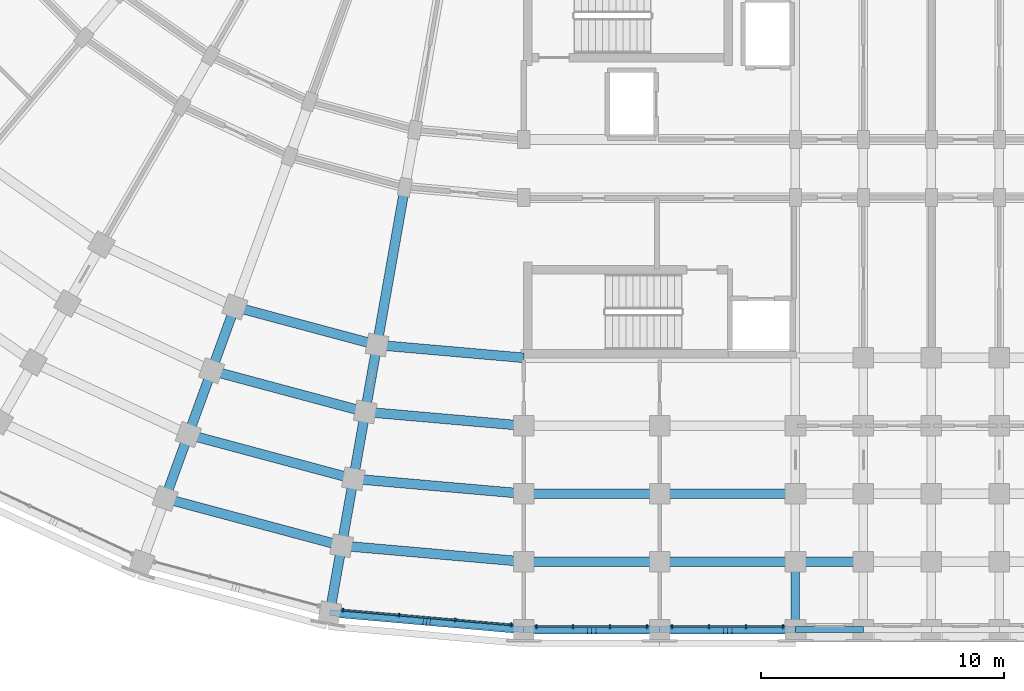
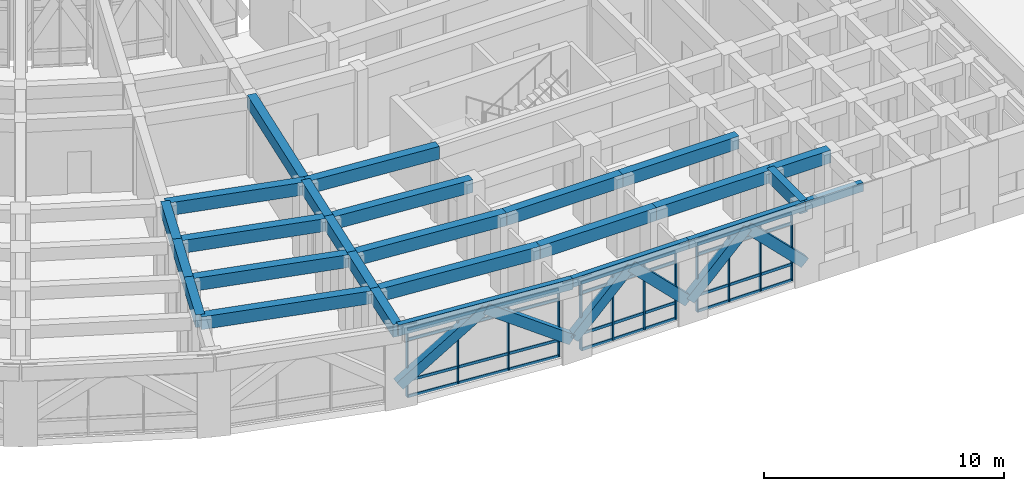
# One storey, part 8 of 97: 32 beams, 24 members, 3 elements without a shape of their own.
"""IFC4 building model written with IfcOpenShell, lengths in metres."""

from ifc_helpers import new_model, si_unit, direction, frame, origin, origin_2d, place, context, subcontext, project, spatial, rectangle, extrude, material, material_profile, profile_set, type_object, element, aggregate, save


model = new_model("IFC4")

# Units and contexts
model_context = context("Model", 3, precision=1e-05, world=origin(), true_north=direction((0.0, 1.0)))
body_context = subcontext(model_context, "Body", "Model", "MODEL_VIEW")
ifc_project = project(units=[si_unit("LENGTHUNIT", "METRE"), si_unit("AREAUNIT", "SQUARE_METRE"), si_unit("VOLUMEUNIT", "CUBIC_METRE"), si_unit("PLANEANGLEUNIT", "RADIAN"), si_unit("MASSUNIT", "GRAM", prefix="KILO")], contexts=[model_context])

# Site, building, storey
site_placement = place(None, origin())
site = spatial("IfcSite", under=ifc_project, at=site_placement, CompositionType="ELEMENT")
building_placement = place(site_placement, origin())
building = spatial("IfcBuilding", under=site, at=building_placement, Name="Kiranvali Square Residences", CompositionType="ELEMENT")
storey_placement = place(building_placement, frame((0.0, 0.0, 4.5)))
storey = spatial("IfcBuildingStorey", under=building, at=storey_placement, Name="L01", CompositionType="ELEMENT", Elevation=4.5)

# Beams
ifc_material_1 = material(Name="Concrete M40 (40 MPa)", Category="concrete")
ifc_material_profile_1 = material_profile(ifc_material_1, rectangle(XDim=0.35009765625, YDim=0.5, at=origin_2d()), Name="RC 350x500")
ifc_profile_set_1 = profile_set([ifc_material_profile_1], Name="Concrete M40 (40 MPa)")
beam_type_1 = type_object("IfcBeamType", Name="AR-M40-350x500", PredefinedType="USERDEFINED", material=ifc_profile_set_1)
for number, where, z_axis, x_axis, name in (
    (1, (48.16015625, 2.203369140625, 0.89990234375), (-0.818861711603, 0.07164281584, 0.569502242498), (-0.087157794078, -0.996194518621, 0.0), "Classical pointed Ottoman arch rib ARCH-C-CRV-7-00.1"),
    (2, (44.2060546875, 2.54931640625, 3.64990234375), (-0.818861711603, 0.07164281584, -0.569502242498), (-0.087157794078, -0.996194518621, 0.0), "Classical pointed Ottoman arch rib ARCH-C-CRV-7-00.2"),
):
    element("IfcBeam", number, at=place(storey_placement, frame(where, z_axis=z_axis, x_axis=x_axis)), inside=storey, type_object=beam_type_1, Name=name, ObjectType="ARCH RIB", PredefinedType="USERDEFINED", context=body_context, shape_type="SweptSolid", body=[
        extrude(rectangle(XDim=0.35009765625, YDim=0.5, at=origin_2d()), origin(), (0.0, 0.0, 1.0), 4.828857421875),
    ])
for number, where, z_axis, x_axis, name in (
    (3, (48.239990234375, 2.199951171875, 0.89990234375), (0.708390178619, 0.0, 0.705821050151), (0.0, 1.0, 0.0), "Classical pointed Ottoman arch rib ARCH-C-A1-0.1"),
    (4, (51.0, 2.199951171875, 3.64990234375), (0.708390178619, 0.0, -0.705821050151), (0.0, 1.0, 0.0), "Classical pointed Ottoman arch rib ARCH-C-A1-0.2"),
    (5, (53.840087890625, 2.199951171875, 0.89990234375), (0.708390178619, 0.0, 0.705821050151), (0.0, 1.0, 0.0), "Classical pointed Ottoman arch rib ARCH-C-A1-1.1"),
    (6, (56.60009765625, 2.199951171875, 3.64990234375), (0.708390178619, 0.0, -0.705821050151), (0.0, 1.0, 0.0), "Classical pointed Ottoman arch rib ARCH-C-A1-1.2"),
):
    element("IfcBeam", number, at=place(storey_placement, frame(where, z_axis=z_axis, x_axis=x_axis)), inside=storey, type_object=beam_type_1, Name=name, ObjectType="ARCH RIB", PredefinedType="USERDEFINED", context=body_context, shape_type="SweptSolid", body=[
        extrude(rectangle(XDim=0.35009765625, YDim=0.5, at=origin_2d()), origin(), (0.0, 0.0, 1.0), 3.896240234375),
    ])
ifc_material_profile_2 = material_profile(ifc_material_1, rectangle(XDim=0.35009765625, YDim=0.64990234375, at=origin_2d()), Name="RC 350x650")
ifc_profile_set_2 = profile_set([ifc_material_profile_2], Name="Concrete M40 (40 MPa)")
beam_type_2 = type_object("IfcBeamType", Name="BM-M40-350x650", PredefinedType="BEAM", material=ifc_profile_set_2)
beam_1_placement = place(storey_placement, frame((59.39990234375, 5.0, 3.655029296875), z_axis=(0.0, -1.0, 0.0), x_axis=(1.0, 0.0, 0.0)))
element("IfcBeam", 7, at=beam_1_placement, inside=storey, type_object=beam_type_2, Name="L01 beam BM-C-L01-A1T1-67", PredefinedType="BEAM", context=body_context, shape_type="SweptSolid", body=[
    extrude(rectangle(XDim=0.35009765625, YDim=0.64990234375, at=origin_2d()), origin(), (0.0, 0.0, 1.0), 2.800048828125),
])
ifc_material_2 = material(Name="Concrete M45 (45 MPa)", Category="concrete")
ifc_material_profile_3 = material_profile(ifc_material_2, rectangle(XDim=0.39990234375, YDim=0.64990234375, at=origin_2d()), Name="RC 400x650")
ifc_profile_set_3 = profile_set([ifc_material_profile_3], Name="Concrete M45 (45 MPa)")
beam_type_3 = type_object("IfcBeamType", Name="BM-M45-400x650", PredefinedType="BEAM", material=ifc_profile_set_3)
beam_2_placement = place(storey_placement, frame((48.199951171875, 13.39990234375, 3.655029296875), z_axis=(-0.996193018494, 0.087174938512, 0.0), x_axis=(-0.087174938512, -0.996193018494, 0.0)))
element("IfcBeam", 8, at=beam_2_placement, inside=storey, type_object=beam_type_3, Name="L01 beam BM-C-L01-C00-R3", PredefinedType="BEAM", context=body_context, shape_type="SweptSolid", body=[
    extrude(rectangle(XDim=0.39990234375, YDim=0.64990234375, at=origin_2d()), origin(), (0.0, 0.0, 1.0), 6.066162109375),
])
beam_3_placement = place(storey_placement, frame((48.199951171875, 10.60009765625, 3.655029296875), z_axis=(-0.996196991902, 0.0871295204, 0.0), x_axis=(-0.0871295204, -0.996196991902, 0.0)))
element("IfcBeam", 9, at=beam_3_placement, inside=storey, type_object=beam_type_3, Name="L01 beam BM-C-L01-C00-R4", PredefinedType="BEAM", context=body_context, shape_type="SweptSolid", body=[
    extrude(rectangle(XDim=0.39990234375, YDim=0.64990234375, at=origin_2d()), origin(), (0.0, 0.0, 1.0), 6.553955078125),
])
beam_4_placement = place(storey_placement, frame((48.199951171875, 7.800048828125, 3.655029296875), z_axis=(-0.996194658198, 0.087156198737, 0.0), x_axis=(-0.087156198737, -0.996194658198, 0.0)))
element("IfcBeam", 10, at=beam_4_placement, inside=storey, type_object=beam_type_3, Name="L01 beam BM-C-L01-C00-R5", PredefinedType="BEAM", context=body_context, shape_type="SweptSolid", body=[
    extrude(rectangle(XDim=0.39990234375, YDim=0.64990234375, at=origin_2d()), origin(), (0.0, 0.0, 1.0), 7.042236328125),
])
beam_5_placement = place(storey_placement, frame((48.199951171875, 5.0, 3.655029296875), z_axis=(-0.996195195417, 0.087150058103, 0.0), x_axis=(-0.087150058103, -0.996195195417, 0.0)))
element("IfcBeam", 11, at=beam_5_placement, inside=storey, type_object=beam_type_3, Name="L01 beam BM-C-L01-C00-R6", PredefinedType="BEAM", context=body_context, shape_type="SweptSolid", body=[
    extrude(rectangle(XDim=0.39990234375, YDim=0.64990234375, at=origin_2d()), origin(), (0.0, 0.0, 1.0), 7.530029296875),
])
beam_6_placement = place(storey_placement, frame((42.156982421875, 13.9287109375, 3.655029296875), z_axis=(-0.965923618901, 0.258827283048, 0.0), x_axis=(-0.258827283048, -0.965923618901, 0.0)))
element("IfcBeam", 12, at=beam_6_placement, inside=storey, type_object=beam_type_3, Name="L01 beam BM-C-L01-C01-R3", PredefinedType="BEAM", context=body_context, shape_type="SweptSolid", body=[
    extrude(rectangle(XDim=0.39990234375, YDim=0.64990234375, at=origin_2d()), origin(), (0.0, 0.0, 1.0), 6.066162109375),
])
beam_7_placement = place(storey_placement, frame((41.6708984375, 11.171142578125, 3.655029296875), z_axis=(-0.965918287583, 0.258847178297, 0.0), x_axis=(-0.258847178297, -0.965918287583, 0.0)))
element("IfcBeam", 13, at=beam_7_placement, inside=storey, type_object=beam_type_3, Name="L01 beam BM-C-L01-C01-R4", PredefinedType="BEAM", context=body_context, shape_type="SweptSolid", body=[
    extrude(rectangle(XDim=0.39990234375, YDim=0.64990234375, at=origin_2d()), origin(), (0.0, 0.0, 1.0), 6.55419921875),
])
beam_8_placement = place(storey_placement, frame((41.1845703125, 8.413818359375, 3.655029296875), z_axis=(-0.965931029817, 0.258799624492, 0.0), x_axis=(-0.258799624492, -0.965931029817, 0.0)))
element("IfcBeam", 14, at=beam_8_placement, inside=storey, type_object=beam_type_3, Name="L01 beam BM-C-L01-C01-R5", PredefinedType="BEAM", context=body_context, shape_type="SweptSolid", body=[
    extrude(rectangle(XDim=0.39990234375, YDim=0.64990234375, at=origin_2d()), origin(), (0.0, 0.0, 1.0), 7.042236328125),
])
beam_9_placement = place(storey_placement, frame((40.698486328125, 5.65625, 3.655029296875), z_axis=(-0.965925909693, 0.258818733833, 0.0), x_axis=(-0.258818733833, -0.965925909693, 0.0)))
element("IfcBeam", 15, at=beam_9_placement, inside=storey, type_object=beam_type_3, Name="L01 beam BM-C-L01-C01-R6", PredefinedType="BEAM", context=body_context, shape_type="SweptSolid", body=[
    extrude(rectangle(XDim=0.39990234375, YDim=0.64990234375, at=origin_2d()), origin(), (0.0, 0.0, 1.0), 7.5302734375),
])
beam_10_placement = place(storey_placement, frame((43.30322265625, 20.428466796875, 3.655029296875), z_axis=(-0.173671381499, -0.984803661269, 0.0), x_axis=(0.984803661269, -0.173671381499, 0.0)))
element("IfcBeam", 16, at=beam_10_placement, inside=storey, type_object=beam_type_3, Name="L01 beam BM-C-L01-RAD01-23", PredefinedType="BEAM", context=body_context, shape_type="SweptSolid", body=[
    extrude(rectangle(XDim=0.39990234375, YDim=0.64990234375, at=origin_2d()), origin(), (0.0, 0.0, 1.0), 6.60009765625),
])
beam_11_placement = place(storey_placement, frame((42.156982421875, 13.9287109375, 3.655029296875), z_axis=(-0.173596320392, -0.984816895441, 0.0), x_axis=(0.984816895441, -0.173596320392, 0.0)))
element("IfcBeam", 17, at=beam_11_placement, inside=storey, type_object=beam_type_3, Name="L01 beam BM-C-L01-RAD01-34", PredefinedType="BEAM", context=body_context, shape_type="SweptSolid", body=[
    extrude(rectangle(XDim=0.39990234375, YDim=0.64990234375, at=origin_2d()), origin(), (0.0, 0.0, 1.0), 2.800048828125),
])
beam_12_placement = place(storey_placement, frame((41.6708984375, 11.171142578125, 3.655029296875), z_axis=(-0.173695795656, -0.984799355489, 0.0), x_axis=(0.984799355489, -0.173695795656, 0.0)))
element("IfcBeam", 18, at=beam_12_placement, inside=storey, type_object=beam_type_3, Name="L01 beam BM-C-L01-RAD01-45", PredefinedType="BEAM", context=body_context, shape_type="SweptSolid", body=[
    extrude(rectangle(XDim=0.39990234375, YDim=0.64990234375, at=origin_2d()), origin(), (0.0, 0.0, 1.0), 2.7998046875),
])
beam_13_placement = place(storey_placement, frame((41.1845703125, 8.413818359375, 3.655029296875), z_axis=(-0.173596320392, -0.984816895441, 0.0), x_axis=(0.984816895441, -0.173596320392, 0.0)))
element("IfcBeam", 19, at=beam_13_placement, inside=storey, type_object=beam_type_3, Name="L01 beam BM-C-L01-RAD01-56", PredefinedType="BEAM", context=body_context, shape_type="SweptSolid", body=[
    extrude(rectangle(XDim=0.39990234375, YDim=0.64990234375, at=origin_2d()), origin(), (0.0, 0.0, 1.0), 2.800048828125),
])
for number, where, z_axis, x_axis, name in (
    (20, (40.698486328125, 5.65625, 3.655029296875), (-0.173695795656, -0.984799355489, 0.0), (0.984799355489, -0.173695795656, 0.0), "L01 beam BM-C-L01-RAD01-67"),
    (21, (36.297607421875, 15.498779296875, 3.655029296875), (-0.341981089711, -0.93970683422, 0.0), (0.93970683422, -0.341981089711, 0.0), "L01 beam BM-C-L01-RAD02-34"),
):
    element("IfcBeam", number, at=place(storey_placement, frame(where, z_axis=z_axis, x_axis=x_axis)), inside=storey, type_object=beam_type_3, Name=name, PredefinedType="BEAM", context=body_context, shape_type="SweptSolid", body=[
        extrude(rectangle(XDim=0.39990234375, YDim=0.64990234375, at=origin_2d()), origin(), (0.0, 0.0, 1.0), 2.7998046875),
    ])
beam_14_placement = place(storey_placement, frame((35.340087890625, 12.86767578125, 3.655029296875), z_axis=(-0.342030060398, -0.939689011208, 0.0), x_axis=(0.939689011208, -0.342030060398, 0.0)))
element("IfcBeam", 22, at=beam_14_placement, inside=storey, type_object=beam_type_3, Name="L01 beam BM-C-L01-RAD02-45", PredefinedType="BEAM", context=body_context, shape_type="SweptSolid", body=[
    extrude(rectangle(XDim=0.39990234375, YDim=0.64990234375, at=origin_2d()), origin(), (0.0, 0.0, 1.0), 2.80029296875),
])
beam_15_placement = place(storey_placement, frame((34.38232421875, 10.236328125, 3.655029296875), z_axis=(-0.341981089711, -0.93970683422, 0.0), x_axis=(0.93970683422, -0.341981089711, 0.0)))
element("IfcBeam", 23, at=beam_15_placement, inside=storey, type_object=beam_type_3, Name="L01 beam BM-C-L01-RAD02-56", PredefinedType="BEAM", context=body_context, shape_type="SweptSolid", body=[
    extrude(rectangle(XDim=0.39990234375, YDim=0.64990234375, at=origin_2d()), origin(), (0.0, 0.0, 1.0), 2.7998046875),
])
beam_16_placement = place(storey_placement, frame((48.199951171875, 7.800048828125, 3.655029296875), z_axis=(1.0, 0.0, 0.0), x_axis=(0.0, 1.0, 0.0)))
element("IfcBeam", 24, at=beam_16_placement, inside=storey, type_object=beam_type_3, Name="L01 beam BM-C-L01-A1U0-R5", PredefinedType="BEAM", context=body_context, shape_type="SweptSolid", body=[
    extrude(rectangle(XDim=0.39990234375, YDim=0.64990234375, at=origin_2d()), origin(), (0.0, 0.0, 1.0), 5.60009765625),
])
beam_17_placement = place(storey_placement, frame((53.800048828125, 7.800048828125, 3.655029296875), z_axis=(1.0, 0.0, 0.0), x_axis=(0.0, 1.0, 0.0)))
element("IfcBeam", 25, at=beam_17_placement, inside=storey, type_object=beam_type_3, Name="L01 beam BM-C-L01-A1U1-R5", PredefinedType="BEAM", context=body_context, shape_type="SweptSolid", body=[
    extrude(rectangle(XDim=0.39990234375, YDim=0.64990234375, at=origin_2d()), origin(), (0.0, 0.0, 1.0), 5.599853515625),
])
beam_18_placement = place(storey_placement, frame((48.199951171875, 5.0, 3.655029296875), z_axis=(1.0, 0.0, 0.0), x_axis=(0.0, 1.0, 0.0)))
element("IfcBeam", 26, at=beam_18_placement, inside=storey, type_object=beam_type_3, Name="L01 beam BM-C-L01-A1U0-R6", PredefinedType="BEAM", context=body_context, shape_type="SweptSolid", body=[
    extrude(rectangle(XDim=0.39990234375, YDim=0.64990234375, at=origin_2d()), origin(), (0.0, 0.0, 1.0), 5.60009765625),
])
beam_19_placement = place(storey_placement, frame((53.800048828125, 5.0, 3.655029296875), z_axis=(1.0, 0.0, 0.0), x_axis=(0.0, 1.0, 0.0)))
element("IfcBeam", 27, at=beam_19_placement, inside=storey, type_object=beam_type_3, Name="L01 beam BM-C-L01-A1U1-R6", PredefinedType="BEAM", context=body_context, shape_type="SweptSolid", body=[
    extrude(rectangle(XDim=0.39990234375, YDim=0.64990234375, at=origin_2d()), origin(), (0.0, 0.0, 1.0), 5.599853515625),
])
beam_20_placement = place(storey_placement, frame((59.39990234375, 5.0, 3.655029296875), z_axis=(1.0, 0.0, 0.0), x_axis=(0.0, 1.0, 0.0)))
element("IfcBeam", 28, at=beam_20_placement, inside=storey, type_object=beam_type_3, Name="L01 beam BM-C-L01-A1U2-R6", PredefinedType="BEAM", context=body_context, shape_type="SweptSolid", body=[
    extrude(rectangle(XDim=0.39990234375, YDim=0.64990234375, at=origin_2d()), origin(), (0.0, 0.0, 1.0), 2.800048828125),
])

# Curtain wall, members
ifc_material_3 = material(Name="Anodised bronze aluminium framing", Category="aluminium")
curtain_wall_type = type_object("IfcCurtainWallType", Name="CW-RET-SHOP", PredefinedType="USERDEFINED", material=ifc_material_3)
curtain_wall_1_placement = place(storey_placement, origin())
curtain_wall_1 = element("IfcCurtainWall", 29, at=curtain_wall_1_placement, inside=storey, type_object=curtain_wall_type, Name="Block C L01 rounded-corner arcade curtain wall 1", ObjectType="CURTAIN WALL", PredefinedType="USERDEFINED")
ifc_material_profile_4 = material_profile(ifc_material_3, rectangle(XDim=0.06494140625, YDim=0.159912109375, at=origin_2d()), Name="ALU 65x160")
ifc_profile_set_4 = profile_set([ifc_material_profile_4], Name="Anodised bronze aluminium framing")
member_type_1 = type_object("IfcMemberType", Name="CW-MUL-160", PredefinedType="MULLION", material=ifc_profile_set_4)
member_1_placement = place(storey_placement, frame((47.695068359375, 2.394775390625, 0.02001953125), z_axis=(0.0, 0.0, 1.0), x_axis=(-0.996194698092, 0.087155742748, 0.0)))
member_1 = element("IfcMember", 30, at=member_1_placement, type_object=member_type_1, Name="CW-C-L01-CRV-00 vertical mullion 1", PredefinedType="MULLION", context=body_context, shape_type="SweptSolid", body=[
    extrude(rectangle(XDim=0.06494140625, YDim=0.159912109375, at=origin_2d()), origin(), (0.0, 0.0, 1.0), 3.43994140625),
])
member_2_placement = place(storey_placement, frame((45.377685546875, 2.597412109375, 0.02001953125), z_axis=(0.0, 0.0, 1.0), x_axis=(-0.996194698092, 0.087155742748, 0.0)))
member_2 = element("IfcMember", 31, at=member_2_placement, type_object=member_type_1, Name="CW-C-L01-CRV-00 vertical mullion 2", PredefinedType="MULLION", context=body_context, shape_type="SweptSolid", body=[
    extrude(rectangle(XDim=0.06494140625, YDim=0.159912109375, at=origin_2d()), origin(), (0.0, 0.0, 1.0), 3.43994140625),
])
member_3_placement = place(storey_placement, frame((43.060546875, 2.80029296875, 0.02001953125), z_axis=(0.0, 0.0, 1.0), x_axis=(-0.996194698092, 0.087155742748, 0.0)))
member_3 = element("IfcMember", 32, at=member_3_placement, type_object=member_type_1, Name="CW-C-L01-CRV-00 vertical mullion 3", PredefinedType="MULLION", context=body_context, shape_type="SweptSolid", body=[
    extrude(rectangle(XDim=0.06494140625, YDim=0.159912109375, at=origin_2d()), origin(), (0.0, 0.0, 1.0), 3.43994140625),
])
member_4_placement = place(storey_placement, frame((40.7431640625, 3.0029296875, 0.02001953125), z_axis=(0.0, 0.0, 1.0), x_axis=(-0.996194698092, 0.087155742748, 0.0)))
member_4 = element("IfcMember", 33, at=member_4_placement, type_object=member_type_1, Name="CW-C-L01-CRV-00 vertical mullion 4", PredefinedType="MULLION", context=body_context, shape_type="SweptSolid", body=[
    extrude(rectangle(XDim=0.06494140625, YDim=0.159912109375, at=origin_2d()), origin(), (0.0, 0.0, 1.0), 3.43994140625),
])

curtain_wall_2_placement = place(storey_placement, origin())
curtain_wall_2 = element("IfcCurtainWall", 34, at=curtain_wall_2_placement, inside=storey, type_object=curtain_wall_type, Name="L01 curtain wall CW-C-L01-A1-0", ObjectType="CURTAIN WALL", PredefinedType="USERDEFINED")
member_5_placement = place(storey_placement, frame((48.719970703125, 2.320068359375, 0.02001953125), z_axis=(0.0, 0.0, 1.0), x_axis=(1.0, 0.0, 0.0)))
member_5 = element("IfcMember", 35, at=member_5_placement, type_object=member_type_1, Name="CW-C-L01-A1-0 vertical mullion 1", PredefinedType="MULLION", context=body_context, shape_type="SweptSolid", body=[
    extrude(rectangle(XDim=0.06494140625, YDim=0.159912109375, at=origin_2d()), origin(), (0.0, 0.0, 1.0), 3.43994140625),
])
member_6_placement = place(storey_placement, frame((50.239990234375, 2.320068359375, 0.02001953125), z_axis=(0.0, 0.0, 1.0), x_axis=(1.0, 0.0, 0.0)))
member_6 = element("IfcMember", 36, at=member_6_placement, type_object=member_type_1, Name="CW-C-L01-A1-0 vertical mullion 2", PredefinedType="MULLION", context=body_context, shape_type="SweptSolid", body=[
    extrude(rectangle(XDim=0.06494140625, YDim=0.159912109375, at=origin_2d()), origin(), (0.0, 0.0, 1.0), 3.43994140625),
])
member_7_placement = place(storey_placement, frame((51.760009765625, 2.320068359375, 0.02001953125), z_axis=(0.0, 0.0, 1.0), x_axis=(1.0, 0.0, 0.0)))
member_7 = element("IfcMember", 37, at=member_7_placement, type_object=member_type_1, Name="CW-C-L01-A1-0 vertical mullion 3", PredefinedType="MULLION", context=body_context, shape_type="SweptSolid", body=[
    extrude(rectangle(XDim=0.06494140625, YDim=0.159912109375, at=origin_2d()), origin(), (0.0, 0.0, 1.0), 3.43994140625),
])
member_8_placement = place(storey_placement, frame((53.280029296875, 2.320068359375, 0.02001953125), z_axis=(0.0, 0.0, 1.0), x_axis=(1.0, 0.0, 0.0)))
member_8 = element("IfcMember", 38, at=member_8_placement, type_object=member_type_1, Name="CW-C-L01-A1-0 vertical mullion 4", PredefinedType="MULLION", context=body_context, shape_type="SweptSolid", body=[
    extrude(rectangle(XDim=0.06494140625, YDim=0.159912109375, at=origin_2d()), origin(), (0.0, 0.0, 1.0), 3.43994140625),
])

curtain_wall_3_placement = place(storey_placement, origin())
curtain_wall_3 = element("IfcCurtainWall", 39, at=curtain_wall_3_placement, inside=storey, type_object=curtain_wall_type, Name="L01 curtain wall CW-C-L01-A1-1", ObjectType="CURTAIN WALL", PredefinedType="USERDEFINED")
member_9_placement = place(storey_placement, frame((54.320068359375, 2.320068359375, 0.02001953125), z_axis=(0.0, 0.0, 1.0), x_axis=(1.0, 0.0, 0.0)))
member_9 = element("IfcMember", 40, at=member_9_placement, type_object=member_type_1, Name="CW-C-L01-A1-1 vertical mullion 1", PredefinedType="MULLION", context=body_context, shape_type="SweptSolid", body=[
    extrude(rectangle(XDim=0.06494140625, YDim=0.159912109375, at=origin_2d()), origin(), (0.0, 0.0, 1.0), 3.43994140625),
])
member_10_placement = place(storey_placement, frame((55.840087890625, 2.320068359375, 0.02001953125), z_axis=(0.0, 0.0, 1.0), x_axis=(1.0, 0.0, 0.0)))
member_10 = element("IfcMember", 41, at=member_10_placement, type_object=member_type_1, Name="CW-C-L01-A1-1 vertical mullion 2", PredefinedType="MULLION", context=body_context, shape_type="SweptSolid", body=[
    extrude(rectangle(XDim=0.06494140625, YDim=0.159912109375, at=origin_2d()), origin(), (0.0, 0.0, 1.0), 3.43994140625),
])
member_11_placement = place(storey_placement, frame((57.360107421875, 2.320068359375, 0.02001953125), z_axis=(0.0, 0.0, 1.0), x_axis=(1.0, 0.0, 0.0)))
member_11 = element("IfcMember", 42, at=member_11_placement, type_object=member_type_1, Name="CW-C-L01-A1-1 vertical mullion 3", PredefinedType="MULLION", context=body_context, shape_type="SweptSolid", body=[
    extrude(rectangle(XDim=0.06494140625, YDim=0.159912109375, at=origin_2d()), origin(), (0.0, 0.0, 1.0), 3.43994140625),
])
member_12_placement = place(storey_placement, frame((58.8798828125, 2.320068359375, 0.02001953125), z_axis=(0.0, 0.0, 1.0), x_axis=(1.0, 0.0, 0.0)))
member_12 = element("IfcMember", 43, at=member_12_placement, type_object=member_type_1, Name="CW-C-L01-A1-1 vertical mullion 4", PredefinedType="MULLION", context=body_context, shape_type="SweptSolid", body=[
    extrude(rectangle(XDim=0.06494140625, YDim=0.159912109375, at=origin_2d()), origin(), (0.0, 0.0, 1.0), 3.43994140625),
])

# Member
ifc_material_profile_5 = material_profile(ifc_material_3, rectangle(XDim=0.06494140625, YDim=0.139892578125, at=origin_2d()), Name="ALU 65x140")
ifc_profile_set_5 = profile_set([ifc_material_profile_5], Name="Anodised bronze aluminium framing")
member_type_2 = type_object("IfcMemberType", Name="CW-TRN-140", PredefinedType="MULLION", material=ifc_profile_set_5)
member_13_placement = place(storey_placement, frame((47.68505859375, 2.3955078125, 0.0400390625), z_axis=(-0.996191851174, 0.087188277046, 0.0), x_axis=(-0.087188277046, -0.996191851174, 0.0)))
member_13 = element("IfcMember", 44, at=member_13_placement, type_object=member_type_2, Name="CW-C-L01-CRV-00 horizontal transom 1", PredefinedType="MULLION", context=body_context, shape_type="SweptSolid", body=[
    extrude(rectangle(XDim=0.06494140625, YDim=0.139892578125, at=origin_2d()), origin(), (0.0, 0.0, 1.0), 6.95849609375),
])

member_14_placement = place(storey_placement, frame((47.68505859375, 2.3955078125, 0.85009765625), z_axis=(-0.996191851174, 0.087188277046, 0.0), x_axis=(-0.087188277046, -0.996191851174, 0.0)))
member_14 = element("IfcMember", 45, at=member_14_placement, type_object=member_type_2, Name="CW-C-L01-CRV-00 horizontal transom 2", PredefinedType="MULLION", context=body_context, shape_type="SweptSolid", body=[
    extrude(rectangle(XDim=0.06494140625, YDim=0.139892578125, at=origin_2d()), origin(), (0.0, 0.0, 1.0), 6.95849609375),
])

member_15_placement = place(storey_placement, frame((47.68505859375, 2.3955078125, 2.929931640625), z_axis=(-0.996191851174, 0.087188277046, 0.0), x_axis=(-0.087188277046, -0.996191851174, 0.0)))
member_15 = element("IfcMember", 46, at=member_15_placement, type_object=member_type_2, Name="CW-C-L01-CRV-00 horizontal transom 3", PredefinedType="MULLION", context=body_context, shape_type="SweptSolid", body=[
    extrude(rectangle(XDim=0.06494140625, YDim=0.139892578125, at=origin_2d()), origin(), (0.0, 0.0, 1.0), 6.95849609375),
])

member_16_placement = place(storey_placement, frame((47.68505859375, 2.3955078125, 3.43994140625), z_axis=(-0.996191851174, 0.087188277046, 0.0), x_axis=(-0.087188277046, -0.996191851174, 0.0)))
member_16 = element("IfcMember", 47, at=member_16_placement, type_object=member_type_2, Name="CW-C-L01-CRV-00 horizontal transom 4", PredefinedType="MULLION", context=body_context, shape_type="SweptSolid", body=[
    extrude(rectangle(XDim=0.06494140625, YDim=0.139892578125, at=origin_2d()), origin(), (0.0, 0.0, 1.0), 6.95849609375),
])

aggregate(curtain_wall_1, [member_1, member_2, member_3, member_4, member_13, member_14, member_15, member_16])

member_17_placement = place(storey_placement, frame((48.72998046875, 2.320068359375, 0.0400390625), z_axis=(1.0, 0.0, 0.0), x_axis=(0.0, 1.0, 0.0)))
member_17 = element("IfcMember", 48, at=member_17_placement, type_object=member_type_2, Name="CW-C-L01-A1-0 horizontal transom 1", PredefinedType="MULLION", context=body_context, shape_type="SweptSolid", body=[
    extrude(rectangle(XDim=0.06494140625, YDim=0.139892578125, at=origin_2d()), origin(), (0.0, 0.0, 1.0), 4.5400390625),
])

member_18_placement = place(storey_placement, frame((48.72998046875, 2.320068359375, 0.85009765625), z_axis=(1.0, 0.0, 0.0), x_axis=(0.0, 1.0, 0.0)))
member_18 = element("IfcMember", 49, at=member_18_placement, type_object=member_type_2, Name="CW-C-L01-A1-0 horizontal transom 2", PredefinedType="MULLION", context=body_context, shape_type="SweptSolid", body=[
    extrude(rectangle(XDim=0.06494140625, YDim=0.139892578125, at=origin_2d()), origin(), (0.0, 0.0, 1.0), 4.5400390625),
])

member_19_placement = place(storey_placement, frame((48.72998046875, 2.320068359375, 2.929931640625), z_axis=(1.0, 0.0, 0.0), x_axis=(0.0, 1.0, 0.0)))
member_19 = element("IfcMember", 50, at=member_19_placement, type_object=member_type_2, Name="CW-C-L01-A1-0 horizontal transom 3", PredefinedType="MULLION", context=body_context, shape_type="SweptSolid", body=[
    extrude(rectangle(XDim=0.06494140625, YDim=0.139892578125, at=origin_2d()), origin(), (0.0, 0.0, 1.0), 4.5400390625),
])

member_20_placement = place(storey_placement, frame((48.72998046875, 2.320068359375, 3.43994140625), z_axis=(1.0, 0.0, 0.0), x_axis=(0.0, 1.0, 0.0)))
member_20 = element("IfcMember", 51, at=member_20_placement, type_object=member_type_2, Name="CW-C-L01-A1-0 horizontal transom 4", PredefinedType="MULLION", context=body_context, shape_type="SweptSolid", body=[
    extrude(rectangle(XDim=0.06494140625, YDim=0.139892578125, at=origin_2d()), origin(), (0.0, 0.0, 1.0), 4.5400390625),
])

aggregate(curtain_wall_2, [member_5, member_6, member_7, member_8, member_17, member_18, member_19, member_20])

member_21_placement = place(storey_placement, frame((54.330078125, 2.320068359375, 0.0400390625), z_axis=(1.0, 0.0, 0.0), x_axis=(0.0, 1.0, 0.0)))
member_21 = element("IfcMember", 52, at=member_21_placement, type_object=member_type_2, Name="CW-C-L01-A1-1 horizontal transom 1", PredefinedType="MULLION", context=body_context, shape_type="SweptSolid", body=[
    extrude(rectangle(XDim=0.06494140625, YDim=0.139892578125, at=origin_2d()), origin(), (0.0, 0.0, 1.0), 4.5400390625),
])

member_22_placement = place(storey_placement, frame((54.330078125, 2.320068359375, 0.85009765625), z_axis=(1.0, 0.0, 0.0), x_axis=(0.0, 1.0, 0.0)))
member_22 = element("IfcMember", 53, at=member_22_placement, type_object=member_type_2, Name="CW-C-L01-A1-1 horizontal transom 2", PredefinedType="MULLION", context=body_context, shape_type="SweptSolid", body=[
    extrude(rectangle(XDim=0.06494140625, YDim=0.139892578125, at=origin_2d()), origin(), (0.0, 0.0, 1.0), 4.5400390625),
])

member_23_placement = place(storey_placement, frame((54.330078125, 2.320068359375, 2.929931640625), z_axis=(1.0, 0.0, 0.0), x_axis=(0.0, 1.0, 0.0)))
member_23 = element("IfcMember", 54, at=member_23_placement, type_object=member_type_2, Name="CW-C-L01-A1-1 horizontal transom 3", PredefinedType="MULLION", context=body_context, shape_type="SweptSolid", body=[
    extrude(rectangle(XDim=0.06494140625, YDim=0.139892578125, at=origin_2d()), origin(), (0.0, 0.0, 1.0), 4.5400390625),
])

member_24_placement = place(storey_placement, frame((54.330078125, 2.320068359375, 3.43994140625), z_axis=(1.0, 0.0, 0.0), x_axis=(0.0, 1.0, 0.0)))
member_24 = element("IfcMember", 55, at=member_24_placement, type_object=member_type_2, Name="CW-C-L01-A1-1 horizontal transom 4", PredefinedType="MULLION", context=body_context, shape_type="SweptSolid", body=[
    extrude(rectangle(XDim=0.06494140625, YDim=0.139892578125, at=origin_2d()), origin(), (0.0, 0.0, 1.0), 4.5400390625),
])

aggregate(curtain_wall_3, [member_9, member_10, member_11, member_12, member_21, member_22, member_23, member_24])

# Beams
ifc_material_profile_6 = material_profile(ifc_material_1, rectangle(XDim=0.25, YDim=0.449951171875, at=origin_2d()), Name="RC 250x450")
ifc_profile_set_6 = profile_set([ifc_material_profile_6], Name="Concrete M40 (40 MPa)")
beam_type_4 = type_object("IfcBeamType", Name="SPN-M40-250x450", PredefinedType="SPANDREL", material=ifc_profile_set_6)
beam_21_placement = place(storey_placement, frame((48.199951171875, 2.199951171875, 3.7548828125), z_axis=(1.0, 0.0, 0.0), x_axis=(0.0, 1.0, 0.0)))
element("IfcBeam", 56, at=beam_21_placement, inside=storey, type_object=beam_type_4, Name="L01 beam BM-C-L01-A1U0-R7", PredefinedType="SPANDREL", context=body_context, shape_type="SweptSolid", body=[
    extrude(rectangle(XDim=0.25, YDim=0.449951171875, at=origin_2d()), origin(), (0.0, 0.0, 1.0), 5.60009765625),
])
beam_22_placement = place(storey_placement, frame((53.800048828125, 2.199951171875, 3.7548828125), z_axis=(1.0, 0.0, 0.0), x_axis=(0.0, 1.0, 0.0)))
element("IfcBeam", 57, at=beam_22_placement, inside=storey, type_object=beam_type_4, Name="L01 beam BM-C-L01-A1U1-R7", PredefinedType="SPANDREL", context=body_context, shape_type="SweptSolid", body=[
    extrude(rectangle(XDim=0.25, YDim=0.449951171875, at=origin_2d()), origin(), (0.0, 0.0, 1.0), 5.599853515625),
])
beam_23_placement = place(storey_placement, frame((59.39990234375, 2.199951171875, 3.7548828125), z_axis=(1.0, 0.0, 0.0), x_axis=(0.0, 1.0, 0.0)))
element("IfcBeam", 58, at=beam_23_placement, inside=storey, type_object=beam_type_4, Name="L01 beam BM-C-L01-A1U2-R7", PredefinedType="SPANDREL", context=body_context, shape_type="SweptSolid", body=[
    extrude(rectangle(XDim=0.25, YDim=0.449951171875, at=origin_2d()), origin(), (0.0, 0.0, 1.0), 2.800048828125),
])
ifc_material_profile_7 = material_profile(ifc_material_1, rectangle(XDim=0.25, YDim=0.550048828125, at=origin_2d()), Name="RC 250x550")
ifc_profile_set_7 = profile_set([ifc_material_profile_7], Name="Concrete M40 (40 MPa)")
beam_type_5 = type_object("IfcBeamType", Name="SPN-M40-250x550", PredefinedType="SPANDREL", material=ifc_profile_set_7)
beam_24_placement = place(storey_placement, frame((48.199951171875, 2.199951171875, 3.705078125), z_axis=(-0.996193254792, 0.087172238171, 0.0), x_axis=(-0.087172238171, -0.996193254792, 0.0)))
element("IfcBeam", 59, at=beam_24_placement, inside=storey, type_object=beam_type_5, Name="L01 beam BM-C-L01-C00-R7", PredefinedType="SPANDREL", context=body_context, shape_type="SweptSolid", body=[
    extrude(rectangle(XDim=0.25, YDim=0.550048828125, at=origin_2d()), origin(), (0.0, 0.0, 1.0), 8.018310546875),
])

save(model, "model.ifc")
